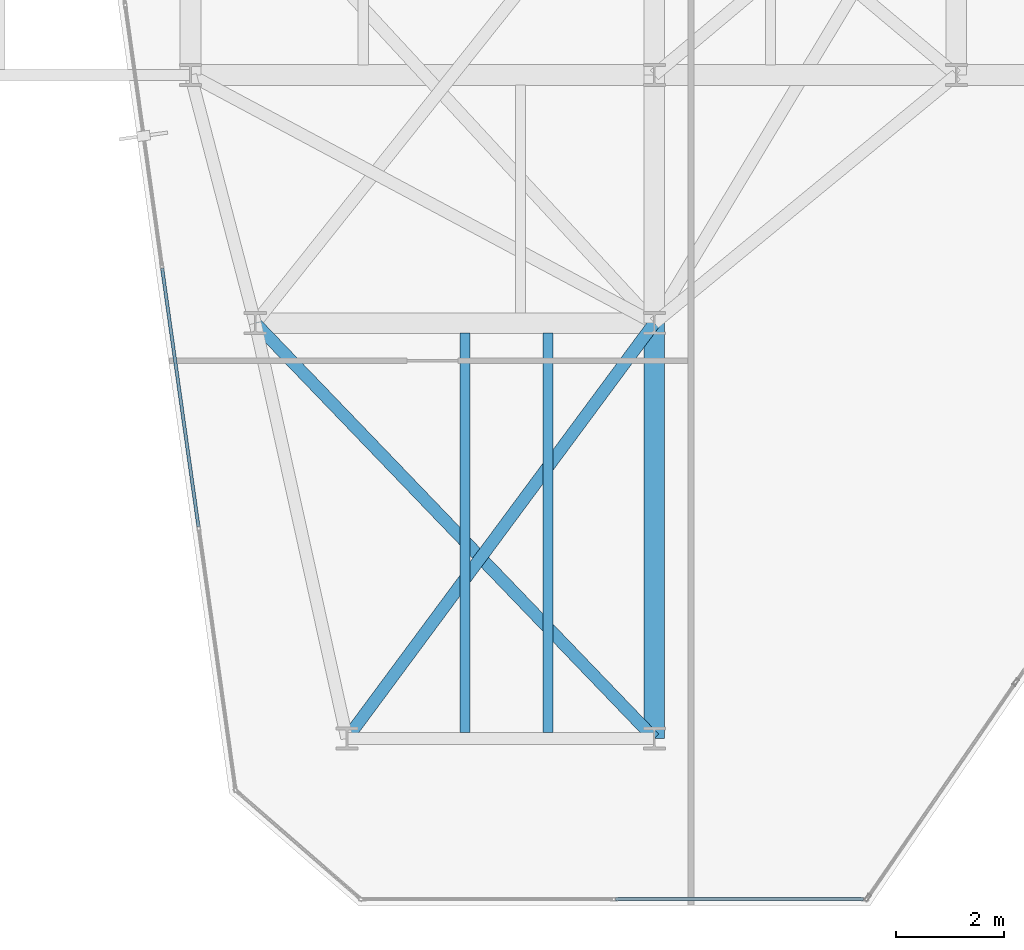
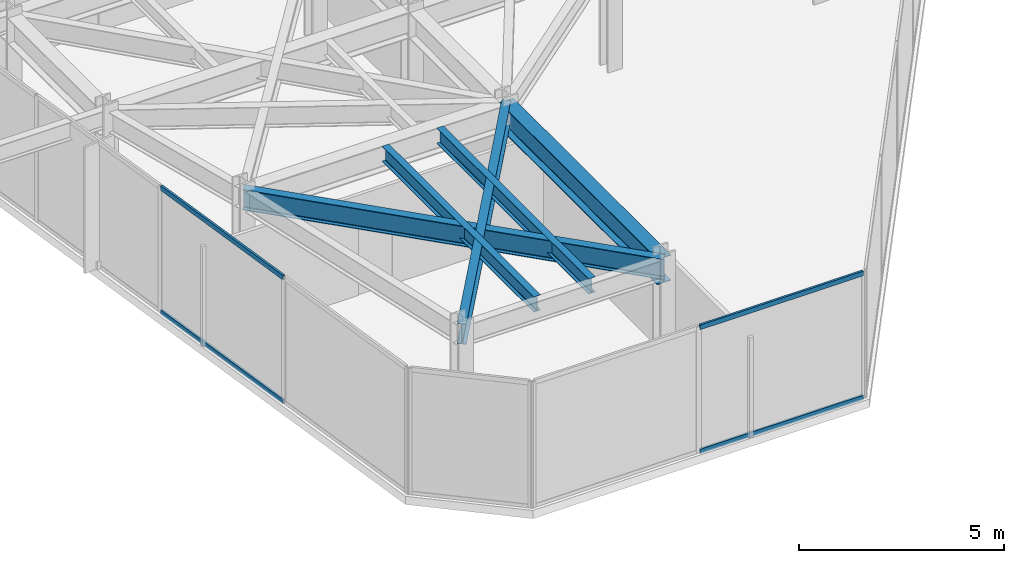
# One storey, part 3 of 26: 5 beams, 4 members, 2 elements without a shape of their own.
"""IFC4 building model written with IfcOpenShell, lengths in metres."""

from ifc_helpers import new_model, si_unit, direction, frame, origin, origin_2d, place, context, subcontext, project, spatial, hollow_rectangle, i_section, extrude, material, layer, layer_set, material_profile, profile_set, type_object, element, aggregate, save


model = new_model("IFC4")

# Units and contexts
model_context = context("Model", 3, precision=1e-05, world=origin(), true_north=direction((0.0, 1.0)))
body_context = subcontext(model_context, "Body", "Model", "MODEL_VIEW")
ifc_project = project(units=[si_unit("LENGTHUNIT", "METRE"), si_unit("AREAUNIT", "SQUARE_METRE"), si_unit("VOLUMEUNIT", "CUBIC_METRE"), si_unit("PLANEANGLEUNIT", "RADIAN"), si_unit("MASSUNIT", "GRAM", prefix="KILO")], contexts=[model_context])

# Site, building, storey
site_placement = place(None, origin())
site = spatial("IfcSite", under=ifc_project, at=site_placement, CompositionType="ELEMENT")
building_placement = place(site_placement, origin())
building = spatial("IfcBuilding", under=site, at=building_placement, Name="Kravanh Interchange Tower", CompositionType="ELEMENT")
storey_placement = place(building_placement, frame((0.0, 0.0, 172.5)))
storey = spatial("IfcBuildingStorey", under=building, at=storey_placement, Name="L41", CompositionType="ELEMENT", Elevation=172.5)

# Curtain wall, members
ifc_material_1 = material(Name="Anodised Bronze Aluminium", Category="aluminium")
ifc_layer = layer(ifc_material_1, 0.179931640625)
ifc_layer_set = layer_set([ifc_layer], Name="Unitised Curtain Wall System CW-Z3 Upper Office")
curtain_wall_type = type_object("IfcCurtainWallType", Name="Unitised Curtain Wall System CW-Z3 Upper Office", PredefinedType="NOTDEFINED", material=ifc_layer_set)
curtain_wall_1_placement = place(storey_placement, origin())
curtain_wall_1 = element("IfcCurtainWall", 1, at=curtain_wall_1_placement, inside=storey, type_object=curtain_wall_type, Name="L41 Unitised Curtain Wall CW-L41-01", PredefinedType="NOTDEFINED")
ifc_material_2 = material(Name="Anodised Bronze Aluminium", Category="aluminium")
ifc_material_profile_1 = material_profile(ifc_material_2, hollow_rectangle(XDim=0.06005859375, YDim=0.139892578125, WallThickness=0.00390625, at=origin_2d()), Name="ALU60X140X4")
ifc_profile_set_1 = profile_set([ifc_material_profile_1], Name="Anodised Bronze Aluminium")
member_type = type_object("IfcMemberType", Name="Curtain Wall Transom ALU60X140X4 Bronze", PredefinedType="USERDEFINED", material=ifc_profile_set_1)
member_1_placement = place(storey_placement, frame((18.748291015625, 18.42236328125, 0.030029296875), z_axis=(-0.139189127663, 0.990265816203, 0.0), x_axis=(-0.990265816203, -0.139189127663, 0.0)))
member_1 = element("IfcMember", 2, at=member_1_placement, type_object=member_type, Name="CW-Z3 transom 2.1", ObjectType="TRANSOM", PredefinedType="USERDEFINED", context=body_context, shape_type="SweptSolid", body=[
    extrude(hollow_rectangle(XDim=0.06005859375, YDim=0.139892578125, WallThickness=0.00390625, at=origin_2d()), origin(), (0.0, 0.0, 1.0), 4.83935546875),
])
member_2_placement = place(storey_placement, frame((18.748291015625, 18.42236328125, 3.72509765625), z_axis=(-0.139189127663, 0.990265816203, 0.0), x_axis=(-0.990265816203, -0.139189127663, 0.0)))
member_2 = element("IfcMember", 3, at=member_2_placement, type_object=member_type, Name="CW-Z3 transom 2.2", ObjectType="TRANSOM", PredefinedType="USERDEFINED", context=body_context, shape_type="SweptSolid", body=[
    extrude(hollow_rectangle(XDim=0.06005859375, YDim=0.139892578125, WallThickness=0.00390625, at=origin_2d()), origin(), (0.0, 0.0, 1.0), 4.83935546875),
])
aggregate(curtain_wall_1, [member_1, member_2])

curtain_wall_2_placement = place(storey_placement, origin())
curtain_wall_2 = element("IfcCurtainWall", 4, at=curtain_wall_2_placement, inside=storey, type_object=curtain_wall_type, Name="L41 Unitised Curtain Wall CW-L41-06", PredefinedType="NOTDEFINED")
member_3_placement = place(storey_placement, frame((31.076904296875, 11.52001953125, 0.030029296875), z_axis=(-1.0, 0.0, 0.0), x_axis=(0.0, -1.0, 0.0)))
member_3 = element("IfcMember", 5, at=member_3_placement, type_object=member_type, Name="CW-Z3 transom 1.1", ObjectType="TRANSOM", PredefinedType="USERDEFINED", context=body_context, shape_type="SweptSolid", body=[
    extrude(hollow_rectangle(XDim=0.06005859375, YDim=0.139892578125, WallThickness=0.00390625, at=origin_2d()), origin(), (0.0, 0.0, 1.0), 4.598876953125),
])
member_4_placement = place(storey_placement, frame((31.076904296875, 11.52001953125, 3.72509765625), z_axis=(-1.0, 0.0, 0.0), x_axis=(0.0, -1.0, 0.0)))
member_4 = element("IfcMember", 6, at=member_4_placement, type_object=member_type, Name="CW-Z3 transom 1.2", ObjectType="TRANSOM", PredefinedType="USERDEFINED", context=body_context, shape_type="SweptSolid", body=[
    extrude(hollow_rectangle(XDim=0.06005859375, YDim=0.139892578125, WallThickness=0.00390625, at=origin_2d()), origin(), (0.0, 0.0, 1.0), 4.598876953125),
])
aggregate(curtain_wall_2, [member_3, member_4])

# Beams
ifc_material_3 = material(Name="Structural Steel S355", Category="steel")
ifc_material_profile_2 = material_profile(ifc_material_3, i_section(OverallWidth=0.381103515625, OverallDepth=0.77294921875, WebThickness=0.0166015625, FlangeThickness=0.027099609375, FilletRadius=0.02490234375, at=origin_2d()), Name="W30X173")
ifc_profile_set_2 = profile_set([ifc_material_profile_2], Name="Structural Steel S355")
beam_type_1 = type_object("IfcBeamType", Name="Floor Beam W30X173 Structural Steel S355", PredefinedType="BEAM", material=ifc_profile_set_2)
beam_1_placement = place(storey_placement, frame((27.199951171875, 14.5, 3.368408203125), z_axis=(0.0, 1.0, 0.0), x_axis=(-1.0, 0.0, 0.0)))
element("IfcBeam", 7, at=beam_1_placement, inside=storey, type_object=beam_type_1, Name="L41 Primary Floor Girder 70", PredefinedType="BEAM", context=body_context, shape_type="SweptSolid", body=[
    extrude(i_section(OverallWidth=0.381103515625, OverallDepth=0.77294921875, WebThickness=0.0166015625, FlangeThickness=0.027099609375, FilletRadius=0.02490234375, at=origin_2d()), origin(), (0.0, 0.0, 1.0), 7.699951171875),
])
ifc_material_4 = material(Name="Structural Steel S355", Category="steel")
ifc_material_profile_3 = material_profile(ifc_material_4, i_section(OverallWidth=0.18994140625, OverallDepth=0.45703125, WebThickness=0.009033203125, FlangeThickness=0.014404296875, FilletRadius=0.01806640625, at=origin_2d()), Name="W18X50")
ifc_profile_set_3 = profile_set([ifc_material_profile_3], Name="Structural Steel S355")
beam_type_2 = type_object("IfcBeamType", Name="Floor Joist W18X50 Structural Steel S355", PredefinedType="JOIST", material=ifc_profile_set_3)
for number, where, z_axis, x_axis, name in (
    (8, (23.68994140625, 14.60888671875, 3.526611328125), (0.0, 1.0, 0.0), (-1.0, 0.0, 0.0), "L41 Secondary Floor Joist 1"),
    (9, (25.22998046875, 14.60888671875, 3.526611328125), (0.0, 1.0, 0.0), (-1.0, 0.0, 0.0), "L41 Secondary Floor Joist 2"),
):
    element("IfcBeam", number, at=place(storey_placement, frame(where, z_axis=z_axis, x_axis=x_axis)), inside=storey, type_object=beam_type_2, Name=name, PredefinedType="JOIST", context=body_context, shape_type="SweptSolid", body=[
        extrude(i_section(OverallWidth=0.18994140625, OverallDepth=0.45703125, WebThickness=0.009033203125, FlangeThickness=0.014404296875, FilletRadius=0.01806640625, at=origin_2d()), origin(), (0.0, 0.0, 1.0), 7.405517578125),
    ])
ifc_material_5 = material(Name="Structural Steel S355", Category="steel")
ifc_material_profile_4 = material_profile(ifc_material_5, i_section(OverallWidth=0.22802734375, OverallDepth=0.60791015625, WebThickness=0.01123046875, FlangeThickness=0.017333984375, FilletRadius=0.02197265625, at=origin_2d()), Name="W24X76")
ifc_profile_set_4 = profile_set([ifc_material_profile_4], Name="Structural Steel S355")
beam_type_3 = type_object("IfcBeamType", Name="Floor Spandrel W24X76 Structural Steel S355", PredefinedType="SPANDREL", material=ifc_profile_set_4)
beam_2_placement = place(storey_placement, frame((21.5, 14.5, 3.450927734375), z_axis=(0.59497703726, 0.803742698339, 0.0), x_axis=(-0.803742698339, 0.59497703726, 0.0)))
element("IfcBeam", 10, at=beam_2_placement, inside=storey, type_object=beam_type_3, Name="L41 Perimeter Spandrel 32", PredefinedType="SPANDREL", context=body_context, shape_type="SweptSolid", body=[
    extrude(i_section(OverallWidth=0.22802734375, OverallDepth=0.60791015625, WebThickness=0.01123046875, FlangeThickness=0.017333984375, FilletRadius=0.02197265625, at=origin_2d()), origin(), (0.0, 0.0, 1.0), 9.580078125),
])
beam_3_placement = place(storey_placement, frame((27.199951171875, 14.5, 3.450927734375), z_axis=(-0.692919091225, 0.721015348669, 0.0), x_axis=(-0.721015348669, -0.692919091225, 0.0)))
element("IfcBeam", 11, at=beam_3_placement, inside=storey, type_object=beam_type_3, Name="L41 Perimeter Spandrel 71", PredefinedType="SPANDREL", context=body_context, shape_type="SweptSolid", body=[
    extrude(i_section(OverallWidth=0.22802734375, OverallDepth=0.60791015625, WebThickness=0.01123046875, FlangeThickness=0.017333984375, FilletRadius=0.02197265625, at=origin_2d()), origin(), (0.0, 0.0, 1.0), 10.67919921875),
])

save(model, "model.ifc")
